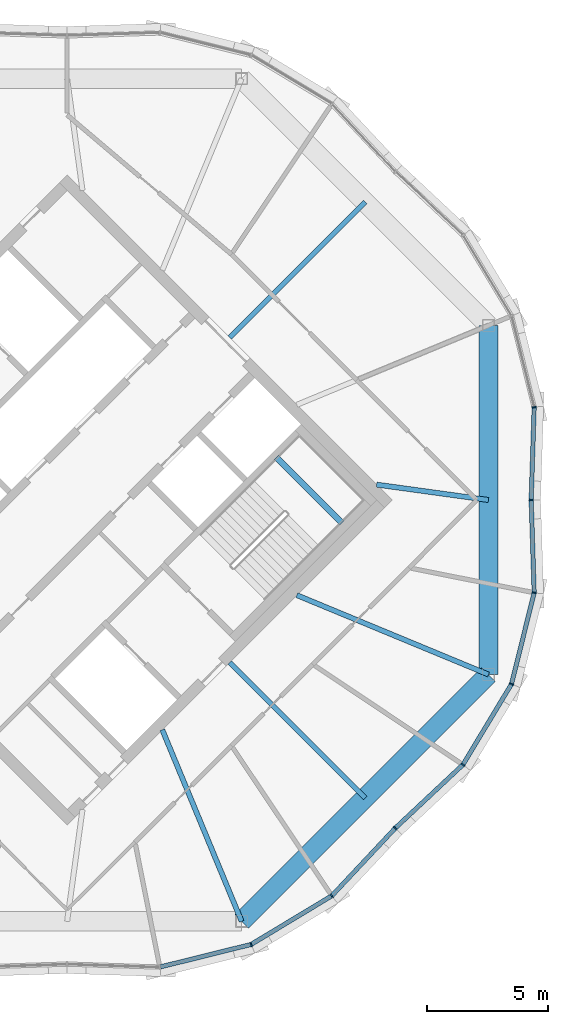
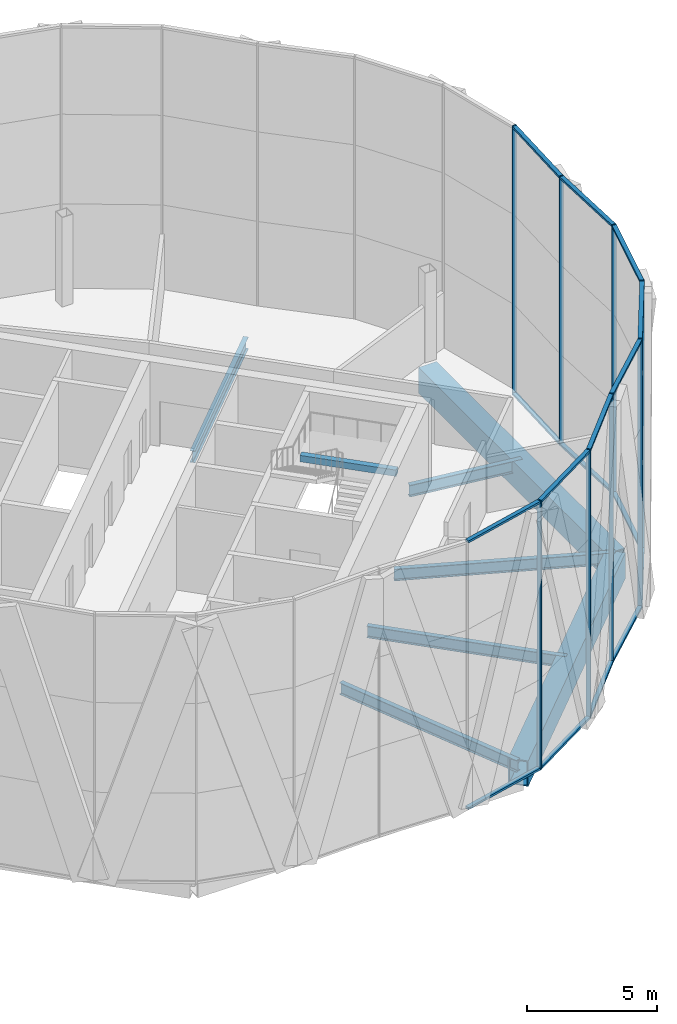
# One storey, part 10 of 23: 24 members, 8 beams, 3 elements without a shape of their own.
"""IFC4 building model written with IfcOpenShell, lengths in metres."""

from ifc_helpers import new_model, si_unit, direction, frame, origin, origin_2d, place, context, subcontext, project, spatial, rectangle, hollow_rectangle, i_section, extrude, material, material_profile, profile_set, type_object, element, aggregate, save


model = new_model("IFC4")

# Units and contexts
model_context = context("Model", 3, precision=1e-05, world=origin(), true_north=direction((0.0, 1.0)))
body_context = subcontext(model_context, "Body", "Model", "MODEL_VIEW")
ifc_project = project(units=[si_unit("LENGTHUNIT", "METRE"), si_unit("AREAUNIT", "SQUARE_METRE"), si_unit("VOLUMEUNIT", "CUBIC_METRE"), si_unit("PLANEANGLEUNIT", "RADIAN"), si_unit("MASSUNIT", "GRAM", prefix="KILO")], contexts=[model_context])

# Site, building, storey
site_placement = place(None, origin())
site = spatial("IfcSite", under=ifc_project, at=site_placement, CompositionType="ELEMENT")
building_placement = place(site_placement, origin())
building = spatial("IfcBuilding", under=site, at=building_placement, Name="Ogive Gate Towers", CompositionType="ELEMENT")
storey_placement = place(building_placement, frame((0.0, 0.0, 256.199951171875)))
storey = spatial("IfcBuildingStorey", under=building, at=storey_placement, Name="L60", CompositionType="ELEMENT", Elevation=256.199951171875)

# Beams
ifc_material_1 = material(Name="Steel SM460", Category="steel")
ifc_material_profile_1 = material_profile(ifc_material_1, hollow_rectangle(XDim=0.800048828125, YDim=1.199951171875, WallThickness=0.050048828125, at=origin_2d()), Name="BX 1200x800x50")
ifc_profile_set_1 = profile_set([ifc_material_profile_1], Name="Steel SM460")
beam_type_1 = type_object("IfcBeamType", Name="Edge girder BX 1200x800x50", PredefinedType="BEAM", material=ifc_profile_set_1)
beam_1_placement = place(storey_placement, frame((43.217529296875, -17.42431640625, -0.89990234375), z_axis=(0.707106781187, 0.707106781187, 0.0), x_axis=(-0.707106781187, 0.707106781187, 0.0)))
element("IfcBeam", 1, at=beam_1_placement, inside=storey, type_object=beam_type_1, Name="T2/L60/SBM019", PredefinedType="BEAM", context=body_context, shape_type="SweptSolid", body=[
    extrude(hollow_rectangle(XDim=0.800048828125, YDim=1.199951171875, WallThickness=0.050048828125, at=origin_2d()), origin(), (0.0, 0.0, 1.0), 14.4345703125),
])
beam_2_placement = place(storey_placement, frame((53.42431640625, -7.217529296875, -0.89990234375), z_axis=(0.0, 1.0, 0.0), x_axis=(-1.0, 0.0, 0.0)))
element("IfcBeam", 2, at=beam_2_placement, inside=storey, type_object=beam_type_1, Name="T2/L60/SBM020", PredefinedType="BEAM", context=body_context, shape_type="SweptSolid", body=[
    extrude(hollow_rectangle(XDim=0.800048828125, YDim=1.199951171875, WallThickness=0.050048828125, at=origin_2d()), origin(), (0.0, 0.0, 1.0), 14.43505859375),
])
ifc_material_2 = material(Name="Concrete C40/50", Category="concrete")
ifc_material_profile_2 = material_profile(ifc_material_2, rectangle(XDim=0.25, YDim=0.300048828125, at=origin_2d()), Name="RC 250x300")
ifc_profile_set_2 = profile_set([ifc_material_profile_2], Name="Concrete C40/50")
beam_type_2 = type_object("IfcBeamType", Name="Landing bearer RC 250x300", PredefinedType="BEAM", material=ifc_profile_set_2)
beam_3_placement = place(storey_placement, frame((47.35888671875, -0.94482421875, 1.75), z_axis=(-0.707138693938, 0.707074866995, 0.0), x_axis=(-0.707074866995, -0.707138693938, 0.0)))
element("IfcBeam", 3, at=beam_3_placement, inside=storey, type_object=beam_type_2, Name="T2 L60 stair 2 landing bearer 1", PredefinedType="BEAM", context=body_context, shape_type="SweptSolid", body=[
    extrude(rectangle(XDim=0.25, YDim=0.300048828125, at=origin_2d()), origin(), (0.0, 0.0, 1.0), 3.824951171875),
])
ifc_material_3 = material(Name="Steel SM355", Category="steel")
ifc_material_profile_3 = material_profile(ifc_material_3, i_section(OverallWidth=0.2099609375, OverallDepth=0.550048828125, WebThickness=0.010986328125, FlangeThickness=0.01708984375, FilletRadius=0.02392578125, at=origin_2d()), Name="IPE 550")
ifc_profile_set_3 = profile_set([ifc_material_profile_3], Name="Steel SM355")
beam_type_3 = type_object("IfcBeamType", Name="Radial floor beam IPE 550", PredefinedType="BEAM", material=ifc_profile_set_3)
beam_4_placement = place(storey_placement, frame((39.93505859375, -9.5, -0.574951171875), z_axis=(0.382694515667, -0.923874941579, 0.0), x_axis=(0.923874941579, 0.382694515667, 0.0)))
element("IfcBeam", 4, at=beam_4_placement, inside=storey, type_object=beam_type_3, Name="T2/L60/SBM005", PredefinedType="BEAM", context=body_context, shape_type="SweptSolid", body=[
    extrude(i_section(OverallWidth=0.2099609375, OverallDepth=0.550048828125, WebThickness=0.010986328125, FlangeThickness=0.01708984375, FilletRadius=0.02392578125, at=origin_2d()), origin(), (0.0, 0.0, 1.0), 8.5771484375),
])
beam_5_placement = place(storey_placement, frame((42.717529296875, -6.717529296875, -0.574951171875), z_axis=(0.707106781187, -0.707106781187, 0.0), x_axis=(0.707106781187, 0.707106781187, 0.0)))
element("IfcBeam", 5, at=beam_5_placement, inside=storey, type_object=beam_type_3, Name="T2/L60/SBM006", PredefinedType="BEAM", context=body_context, shape_type="SweptSolid", body=[
    extrude(i_section(OverallWidth=0.2099609375, OverallDepth=0.550048828125, WebThickness=0.010986328125, FlangeThickness=0.01708984375, FilletRadius=0.02392578125, at=origin_2d()), origin(), (0.0, 0.0, 1.0), 7.92431640625),
])
beam_6_placement = place(storey_placement, frame((45.5, -3.93505859375, -0.574951171875), z_axis=(0.923874941579, -0.382694515667, 0.0), x_axis=(0.382694515667, 0.923874941579, 0.0)))
element("IfcBeam", 6, at=beam_6_placement, inside=storey, type_object=beam_type_3, Name="T2/L60/SBM007", PredefinedType="BEAM", context=body_context, shape_type="SweptSolid", body=[
    extrude(i_section(OverallWidth=0.2099609375, OverallDepth=0.550048828125, WebThickness=0.010986328125, FlangeThickness=0.01708984375, FilletRadius=0.02392578125, at=origin_2d()), origin(), (0.0, 0.0, 1.0), 8.5771484375),
])
beam_7_placement = place(storey_placement, frame((48.798583984375, 0.636474609375, -0.574951171875), z_axis=(0.990666223092, -0.136310067219, 0.0), x_axis=(0.136310067219, 0.990666223092, 0.0)))
element("IfcBeam", 7, at=beam_7_placement, inside=storey, type_object=beam_type_3, Name="T2/L60/SBM008", PredefinedType="BEAM", context=body_context, shape_type="SweptSolid", body=[
    extrude(i_section(OverallWidth=0.2099609375, OverallDepth=0.550048828125, WebThickness=0.010986328125, FlangeThickness=0.01708984375, FilletRadius=0.02392578125, at=origin_2d()), origin(), (0.0, 0.0, 1.0), 4.66943359375),
])
beam_8_placement = place(storey_placement, frame((42.717529296875, 6.717529296875, -0.574951171875), z_axis=(0.707106781187, 0.707106781187, 0.0), x_axis=(-0.707106781187, 0.707106781187, 0.0)))
element("IfcBeam", 8, at=beam_8_placement, inside=storey, type_object=beam_type_3, Name="T2/L60/SBM010", PredefinedType="BEAM", context=body_context, shape_type="SweptSolid", body=[
    extrude(i_section(OverallWidth=0.2099609375, OverallDepth=0.550048828125, WebThickness=0.010986328125, FlangeThickness=0.01708984375, FilletRadius=0.02392578125, at=origin_2d()), origin(), (0.0, 0.0, 1.0), 7.92431640625),
])

# Curtain wall, members
ifc_material_4 = material(Name="Pale metal aluminium", Category="aluminium")
curtain_wall_type = type_object("IfcCurtainWallType", Name="Tower unitised wall, high zone", PredefinedType="NOTDEFINED", material=ifc_material_4)
curtain_wall_1_placement = place(storey_placement, origin())
curtain_wall_1 = element("IfcCurtainWall", 9, at=curtain_wall_1_placement, inside=storey, type_object=curtain_wall_type, Name="CW2 T2 ECW01", PredefinedType="NOTDEFINED")
ifc_material_profile_4 = material_profile(ifc_material_4, rectangle(XDim=0.179931640625, YDim=0.06005859375, at=origin_2d()), Name="60 x 180 aluminium box")
ifc_profile_set_4 = profile_set([ifc_material_profile_4], Name="Pale metal aluminium")
member_type_1 = type_object("IfcMemberType", Name="Tower unitised wall, high zone mullion 60 x 180", PredefinedType="MULLION", material=ifc_profile_set_4)
member_1_placement = place(storey_placement, frame((55.190185546875, 0.000244140625, -0.300048828125), z_axis=(0.0, 0.0, 1.0), x_axis=(0.999479895007, -0.032248092615, 0.0)))
member_1 = element("IfcMember", 10, at=member_1_placement, type_object=member_type_1, Name="CW2 mullion", PredefinedType="MULLION", context=body_context, shape_type="SweptSolid", body=[
    extrude(rectangle(XDim=0.179931640625, YDim=0.06005859375, at=origin_2d()), origin(), (0.0, 0.0, 1.0), 12.60009765625),
])
member_2_placement = place(storey_placement, frame((55.31396484375, 3.833251953125, -0.300048828125), z_axis=(0.0, 0.0, 1.0), x_axis=(0.994450514713, 0.105205388581, 0.0)))
member_2 = element("IfcMember", 11, at=member_2_placement, type_object=member_type_1, Name="CW2 mullion", PredefinedType="MULLION", context=body_context, shape_type="SweptSolid", body=[
    extrude(rectangle(XDim=0.179931640625, YDim=0.06005859375, at=origin_2d()), origin(), (0.0, 0.0, 1.0), 12.60009765625),
])

curtain_wall_2_placement = place(storey_placement, origin())
curtain_wall_2 = element("IfcCurtainWall", 12, at=curtain_wall_2_placement, inside=storey, type_object=curtain_wall_type, Name="CW2 T2 ECW07", PredefinedType="NOTDEFINED")
member_3_placement = place(storey_placement, frame((43.612060546875, -18.376953125, -0.300048828125), z_axis=(0.0, 0.0, 1.0), x_axis=(0.382683432365, -0.923879532511, 0.0)))
member_3 = element("IfcMember", 13, at=member_3_placement, type_object=member_type_1, Name="CW2 mullion", PredefinedType="MULLION", context=body_context, shape_type="SweptSolid", body=[
    extrude(rectangle(XDim=0.179931640625, YDim=0.06005859375, at=origin_2d()), origin(), (0.0, 0.0, 1.0), 12.60009765625),
])
member_4_placement = place(storey_placement, frame((46.9462890625, -16.367431640625, -0.300048828125), z_axis=(0.0, 0.0, 1.0), x_axis=(0.628791258825, -0.777574146191, 0.0)))
member_4 = element("IfcMember", 14, at=member_4_placement, type_object=member_type_1, Name="CW2 mullion", PredefinedType="MULLION", context=body_context, shape_type="SweptSolid", body=[
    extrude(rectangle(XDim=0.179931640625, YDim=0.06005859375, at=origin_2d()), origin(), (0.0, 0.0, 1.0), 12.60009765625),
])
member_5_placement = place(storey_placement, frame((49.569091796875, -13.569580078125, -0.300048828125), z_axis=(0.0, 0.0, 1.0), x_axis=(0.729541856388, -0.68393616645, 0.0)))
member_5 = element("IfcMember", 15, at=member_5_placement, type_object=member_type_1, Name="CW2 mullion", PredefinedType="MULLION", context=body_context, shape_type="SweptSolid", body=[
    extrude(rectangle(XDim=0.179931640625, YDim=0.06005859375, at=origin_2d()), origin(), (0.0, 0.0, 1.0), 12.60009765625),
])

curtain_wall_3_placement = place(storey_placement, origin())
curtain_wall_3 = element("IfcCurtainWall", 16, at=curtain_wall_3_placement, inside=storey, type_object=curtain_wall_type, Name="CW2 T2 ECW08", PredefinedType="NOTDEFINED")
member_6_placement = place(storey_placement, frame((52.367431640625, -10.9462890625, -0.300048828125), z_axis=(0.0, 0.0, 1.0), x_axis=(0.777574146191, -0.628791258825, 0.0)))
member_6 = element("IfcMember", 17, at=member_6_placement, type_object=member_type_1, Name="CW2 mullion", PredefinedType="MULLION", context=body_context, shape_type="SweptSolid", body=[
    extrude(rectangle(XDim=0.179931640625, YDim=0.06005859375, at=origin_2d()), origin(), (0.0, 0.0, 1.0), 12.60009765625),
])
member_7_placement = place(storey_placement, frame((54.376953125, -7.612060546875, -0.300048828125), z_axis=(0.0, 0.0, 1.0), x_axis=(0.923879532511, -0.382683432365, 0.0)))
member_7 = element("IfcMember", 18, at=member_7_placement, type_object=member_type_1, Name="CW2 mullion", PredefinedType="MULLION", context=body_context, shape_type="SweptSolid", body=[
    extrude(rectangle(XDim=0.179931640625, YDim=0.06005859375, at=origin_2d()), origin(), (0.0, 0.0, 1.0), 12.60009765625),
])
member_8_placement = place(storey_placement, frame((55.31396484375, -3.833251953125, -0.300048828125), z_axis=(0.0, 0.0, 1.0), x_axis=(0.994450514713, -0.105205388581, 0.0)))
member_8 = element("IfcMember", 19, at=member_8_placement, type_object=member_type_1, Name="CW2 mullion", PredefinedType="MULLION", context=body_context, shape_type="SweptSolid", body=[
    extrude(rectangle(XDim=0.179931640625, YDim=0.06005859375, at=origin_2d()), origin(), (0.0, 0.0, 1.0), 12.60009765625),
])

# Member
ifc_material_profile_5 = material_profile(ifc_material_4, rectangle(XDim=0.179931640625, YDim=0.10009765625, at=origin_2d()), Name="100 x 180 aluminium box")
ifc_profile_set_5 = profile_set([ifc_material_profile_5], Name="Pale metal aluminium")
member_type_2 = type_object("IfcMemberType", Name="Tower unitised wall, high zone transom 100 x 180", PredefinedType="USERDEFINED", material=ifc_profile_set_5)
member_9_placement = place(storey_placement, frame((55.191162109375, 0.0302734375, 12.25), z_axis=(0.032195461365, 0.99948159176, 0.0), x_axis=(-0.99948159176, 0.032195461365, 0.0)))
member_9 = element("IfcMember", 20, at=member_9_placement, type_object=member_type_2, Name="CW2 transom", ObjectType="TRANSOM", PredefinedType="USERDEFINED", context=body_context, shape_type="SweptSolid", body=[
    extrude(rectangle(XDim=0.179931640625, YDim=0.10009765625, at=origin_2d()), origin(), (0.0, 0.0, 1.0), 3.7763671875),
])

member_10_placement = place(storey_placement, frame((55.191162109375, 0.0302734375, -0.25), z_axis=(0.032195461365, 0.99948159176, 0.0), x_axis=(-0.99948159176, 0.032195461365, 0.0)))
member_10 = element("IfcMember", 21, at=member_10_placement, type_object=member_type_2, Name="CW2 transom", ObjectType="TRANSOM", PredefinedType="USERDEFINED", context=body_context, shape_type="SweptSolid", body=[
    extrude(rectangle(XDim=0.179931640625, YDim=0.10009765625, at=origin_2d()), origin(), (0.0, 0.0, 1.0), 3.7763671875),
])

aggregate(curtain_wall_1, [member_1, member_2, member_9, member_10])

member_11_placement = place(storey_placement, frame((39.861083984375, -19.306884765625, 12.25), z_axis=(0.97061239956, 0.240648228376, 0.0), x_axis=(-0.240648228376, 0.97061239956, 0.0)))
member_11 = element("IfcMember", 22, at=member_11_placement, type_object=member_type_2, Name="CW2 transom", ObjectType="TRANSOM", PredefinedType="USERDEFINED", context=body_context, shape_type="SweptSolid", body=[
    extrude(rectangle(XDim=0.179931640625, YDim=0.10009765625, at=origin_2d()), origin(), (0.0, 0.0, 1.0), 3.8359375),
])

member_12_placement = place(storey_placement, frame((39.861083984375, -19.306884765625, -0.25), z_axis=(0.97061239956, 0.240648228376, 0.0), x_axis=(-0.240648228376, 0.97061239956, 0.0)))
member_12 = element("IfcMember", 23, at=member_12_placement, type_object=member_type_2, Name="CW2 transom", ObjectType="TRANSOM", PredefinedType="USERDEFINED", context=body_context, shape_type="SweptSolid", body=[
    extrude(rectangle(XDim=0.179931640625, YDim=0.10009765625, at=origin_2d()), origin(), (0.0, 0.0, 1.0), 3.8359375),
])

member_13_placement = place(storey_placement, frame((43.63623046875, -18.3623046875, 12.25), z_axis=(0.856474875076, 0.516188713906, 0.0), x_axis=(-0.516188713906, 0.856474875076, 0.0)))
member_13 = element("IfcMember", 24, at=member_13_placement, type_object=member_type_2, Name="CW2 transom", ObjectType="TRANSOM", PredefinedType="USERDEFINED", context=body_context, shape_type="SweptSolid", body=[
    extrude(rectangle(XDim=0.179931640625, YDim=0.10009765625, at=origin_2d()), origin(), (0.0, 0.0, 1.0), 3.836181640625),
])

member_14_placement = place(storey_placement, frame((43.63623046875, -18.3623046875, -0.25), z_axis=(0.856474875076, 0.516188713906, 0.0), x_axis=(-0.516188713906, 0.856474875076, 0.0)))
member_14 = element("IfcMember", 25, at=member_14_placement, type_object=member_type_2, Name="CW2 transom", ObjectType="TRANSOM", PredefinedType="USERDEFINED", context=body_context, shape_type="SweptSolid", body=[
    extrude(rectangle(XDim=0.179931640625, YDim=0.10009765625, at=origin_2d()), origin(), (0.0, 0.0, 1.0), 3.836181640625),
])

member_15_placement = place(storey_placement, frame((46.9658203125, -16.3466796875, 12.25), z_axis=(0.683917473319, 0.729559380509, 0.0), x_axis=(-0.729559380509, 0.683917473319, 0.0)))
member_15 = element("IfcMember", 26, at=member_15_placement, type_object=member_type_2, Name="CW2 transom", ObjectType="TRANSOM", PredefinedType="USERDEFINED", context=body_context, shape_type="SweptSolid", body=[
    extrude(rectangle(XDim=0.179931640625, YDim=0.10009765625, at=origin_2d()), origin(), (0.0, 0.0, 1.0), 3.7763671875),
])

member_16_placement = place(storey_placement, frame((46.9658203125, -16.3466796875, -0.25), z_axis=(0.683917473319, 0.729559380509, 0.0), x_axis=(-0.729559380509, 0.683917473319, 0.0)))
member_16 = element("IfcMember", 27, at=member_16_placement, type_object=member_type_2, Name="CW2 transom", ObjectType="TRANSOM", PredefinedType="USERDEFINED", context=body_context, shape_type="SweptSolid", body=[
    extrude(rectangle(XDim=0.179931640625, YDim=0.10009765625, at=origin_2d()), origin(), (0.0, 0.0, 1.0), 3.7763671875),
])

aggregate(curtain_wall_2, [member_3, member_11, member_12, member_4, member_13, member_14, member_5, member_15, member_16])

member_17_placement = place(storey_placement, frame((49.591552734375, -13.548583984375, 12.25), z_axis=(0.729559380509, 0.683917473319, 0.0), x_axis=(-0.683917473319, 0.729559380509, 0.0)))
member_17 = element("IfcMember", 28, at=member_17_placement, type_object=member_type_2, Name="CW2 transom", ObjectType="TRANSOM", PredefinedType="USERDEFINED", context=body_context, shape_type="SweptSolid", body=[
    extrude(rectangle(XDim=0.179931640625, YDim=0.10009765625, at=origin_2d()), origin(), (0.0, 0.0, 1.0), 3.7763671875),
])

member_18_placement = place(storey_placement, frame((49.591552734375, -13.548583984375, -0.25), z_axis=(0.729559380509, 0.683917473319, 0.0), x_axis=(-0.683917473319, 0.729559380509, 0.0)))
member_18 = element("IfcMember", 29, at=member_18_placement, type_object=member_type_2, Name="CW2 transom", ObjectType="TRANSOM", PredefinedType="USERDEFINED", context=body_context, shape_type="SweptSolid", body=[
    extrude(rectangle(XDim=0.179931640625, YDim=0.10009765625, at=origin_2d()), origin(), (0.0, 0.0, 1.0), 3.7763671875),
])

member_19_placement = place(storey_placement, frame((52.382080078125, -10.921875, 12.25), z_axis=(0.516188713906, 0.856474875076, 0.0), x_axis=(-0.856474875076, 0.516188713906, 0.0)))
member_19 = element("IfcMember", 30, at=member_19_placement, type_object=member_type_2, Name="CW2 transom", ObjectType="TRANSOM", PredefinedType="USERDEFINED", context=body_context, shape_type="SweptSolid", body=[
    extrude(rectangle(XDim=0.179931640625, YDim=0.10009765625, at=origin_2d()), origin(), (0.0, 0.0, 1.0), 3.836181640625),
])

member_20_placement = place(storey_placement, frame((52.382080078125, -10.921875, -0.25), z_axis=(0.516188713906, 0.856474875076, 0.0), x_axis=(-0.856474875076, 0.516188713906, 0.0)))
member_20 = element("IfcMember", 31, at=member_20_placement, type_object=member_type_2, Name="CW2 transom", ObjectType="TRANSOM", PredefinedType="USERDEFINED", context=body_context, shape_type="SweptSolid", body=[
    extrude(rectangle(XDim=0.179931640625, YDim=0.10009765625, at=origin_2d()), origin(), (0.0, 0.0, 1.0), 3.836181640625),
])

member_21_placement = place(storey_placement, frame((54.3837890625, -7.584228515625, 12.25), z_axis=(0.240648228376, 0.97061239956, 0.0), x_axis=(-0.97061239956, 0.240648228376, 0.0)))
member_21 = element("IfcMember", 32, at=member_21_placement, type_object=member_type_2, Name="CW2 transom", ObjectType="TRANSOM", PredefinedType="USERDEFINED", context=body_context, shape_type="SweptSolid", body=[
    extrude(rectangle(XDim=0.179931640625, YDim=0.10009765625, at=origin_2d()), origin(), (0.0, 0.0, 1.0), 3.8359375),
])

member_22_placement = place(storey_placement, frame((54.3837890625, -7.584228515625, -0.25), z_axis=(0.240648228376, 0.97061239956, 0.0), x_axis=(-0.97061239956, 0.240648228376, 0.0)))
member_22 = element("IfcMember", 33, at=member_22_placement, type_object=member_type_2, Name="CW2 transom", ObjectType="TRANSOM", PredefinedType="USERDEFINED", context=body_context, shape_type="SweptSolid", body=[
    extrude(rectangle(XDim=0.179931640625, YDim=0.10009765625, at=origin_2d()), origin(), (0.0, 0.0, 1.0), 3.8359375),
])

member_23_placement = place(storey_placement, frame((55.312744140625, -3.8046875, 12.25), z_axis=(-0.032195461365, 0.99948159176, 0.0), x_axis=(-0.99948159176, -0.032195461365, 0.0)))
member_23 = element("IfcMember", 34, at=member_23_placement, type_object=member_type_2, Name="CW2 transom", ObjectType="TRANSOM", PredefinedType="USERDEFINED", context=body_context, shape_type="SweptSolid", body=[
    extrude(rectangle(XDim=0.179931640625, YDim=0.10009765625, at=origin_2d()), origin(), (0.0, 0.0, 1.0), 3.7763671875),
])

member_24_placement = place(storey_placement, frame((55.312744140625, -3.8046875, -0.25), z_axis=(-0.032195461365, 0.99948159176, 0.0), x_axis=(-0.99948159176, -0.032195461365, 0.0)))
member_24 = element("IfcMember", 35, at=member_24_placement, type_object=member_type_2, Name="CW2 transom", ObjectType="TRANSOM", PredefinedType="USERDEFINED", context=body_context, shape_type="SweptSolid", body=[
    extrude(rectangle(XDim=0.179931640625, YDim=0.10009765625, at=origin_2d()), origin(), (0.0, 0.0, 1.0), 3.7763671875),
])

aggregate(curtain_wall_3, [member_6, member_17, member_18, member_7, member_19, member_20, member_8, member_21, member_22, member_23, member_24])

save(model, "model.ifc")
